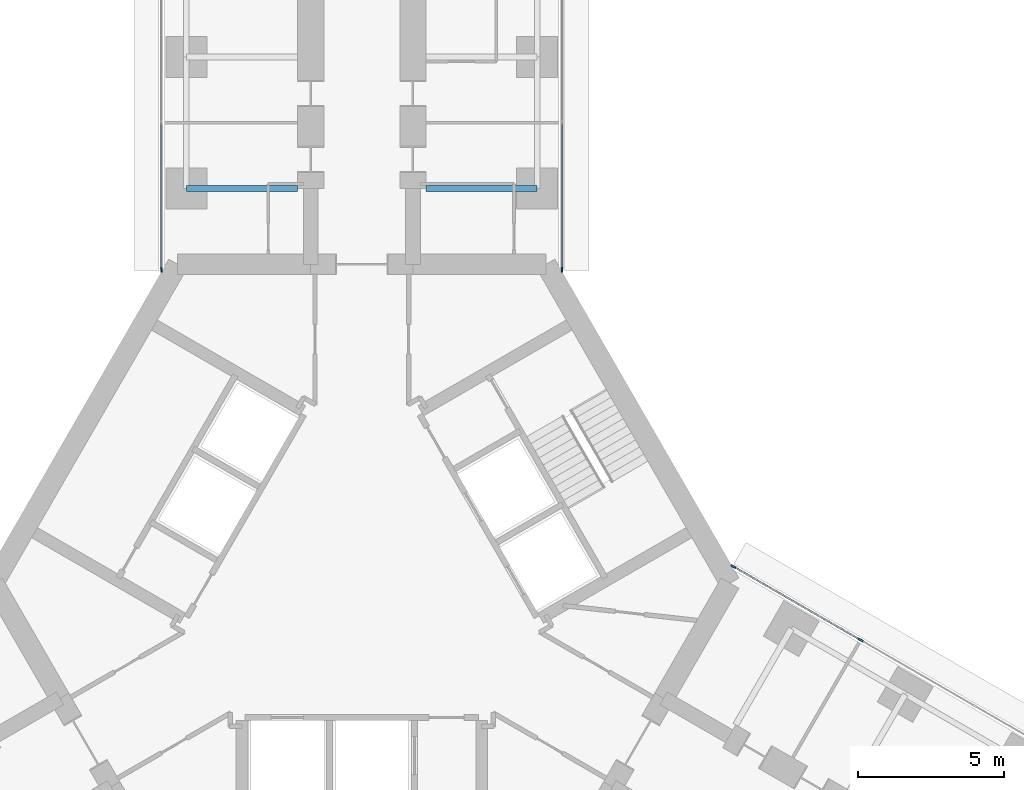
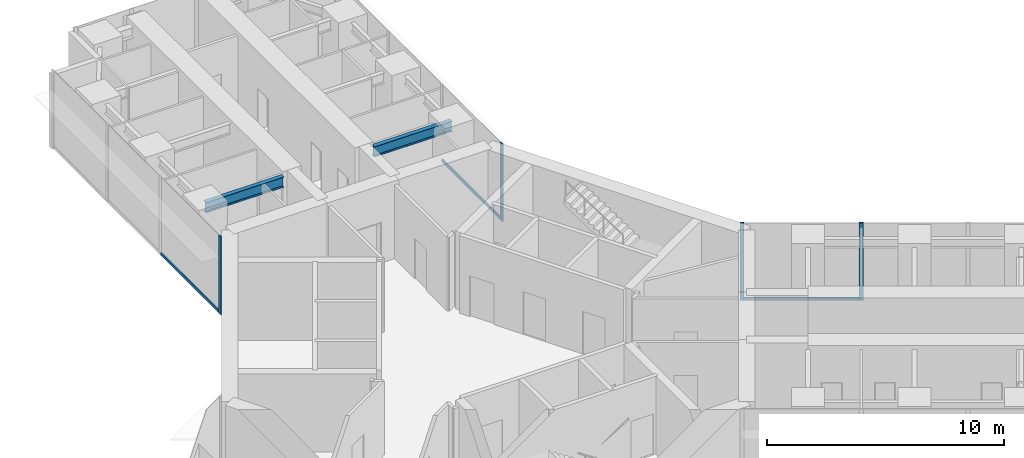
# One storey, part 11 of 25: 7 members, 2 beams, 3 elements without a shape of their own.
"""IFC4 building model written with IfcOpenShell, lengths in metres."""

from ifc_helpers import new_model, si_unit, direction, frame, origin, origin_2d, place, context, subcontext, project, spatial, rectangle, i_section, extrude, material, material_profile, profile_set, type_object, element, aggregate, save


model = new_model("IFC4")

# Units and contexts
model_context = context("Model", 3, precision=1e-05, world=origin(), true_north=direction((0.0, 1.0)))
body_context = subcontext(model_context, "Body", "Model", "MODEL_VIEW")
ifc_project = project(units=[si_unit("LENGTHUNIT", "METRE"), si_unit("AREAUNIT", "SQUARE_METRE"), si_unit("VOLUMEUNIT", "CUBIC_METRE"), si_unit("PLANEANGLEUNIT", "RADIAN"), si_unit("MASSUNIT", "GRAM", prefix="KILO")], contexts=[model_context])

# Site, building, storey
site_placement = place(None, origin())
site = spatial("IfcSite", under=ifc_project, at=site_placement, CompositionType="ELEMENT")
building_placement = place(site_placement, origin())
building = spatial("IfcBuilding", under=site, at=building_placement, Name="Upepo Twin Towers", CompositionType="ELEMENT")
storey_placement = place(building_placement, frame((0.0, 0.0, 76.5)))
storey = spatial("IfcBuildingStorey", under=building, at=storey_placement, Name="L18", CompositionType="ELEMENT", Elevation=76.5)

# Beams
ifc_material_1 = material(Name="Steel S355", Category="steel")
ifc_material_profile_1 = material_profile(ifc_material_1, i_section(OverallWidth=0.209228515625, OverallDepth=0.533203125, WebThickness=0.010009765625, FlangeThickness=0.015625, FilletRadius=0.0126953125, at=origin_2d()), Name="UB 533x210x92")
ifc_profile_set_1 = profile_set([ifc_material_profile_1], Name="Steel S355")
beam_type = type_object("IfcBeamType", Name="Beam UB 533x210x92", PredefinedType="BEAM", material=ifc_profile_set_1)
for number, where, z_axis, x_axis, name in (
    (1, (52.5, -4.5, 3.533447265625), (1.0, 0.0, 0.0), (0.0, 1.0, 0.0), "T2 girder AL at 13.5"),
    (2, (64.5, -4.5, 3.533447265625), (-1.0, 0.0, 0.0), (0.0, -1.0, 0.0), "T2 girder AR at 13.5"),
):
    element("IfcBeam", number, at=place(storey_placement, frame(where, z_axis=z_axis, x_axis=x_axis)), inside=storey, type_object=beam_type, Name=name, PredefinedType="BEAM", context=body_context, shape_type="SweptSolid", body=[
        extrude(i_section(OverallWidth=0.209228515625, OverallDepth=0.533203125, WebThickness=0.010009765625, FlangeThickness=0.015625, FilletRadius=0.0126953125, at=origin_2d()), origin(), (0.0, 0.0, 1.0), 3.800048828125),
    ])

# Curtain wall, member
ifc_material_2 = material(Name="Aluminium and fritted glass", Category="aluminium")
curtain_wall_type = type_object("IfcCurtainWallType", Name="Tower curtain wall TW1, fritted glass", PredefinedType="NOTDEFINED", material=ifc_material_2)
curtain_wall_1_placement = place(storey_placement, origin())
curtain_wall_1 = element("IfcCurtainWall", 3, at=curtain_wall_1_placement, inside=storey, type_object=curtain_wall_type, Name="T2 L18 wing A flank L curtain wall", PredefinedType="NOTDEFINED")
ifc_material_3 = material(Name="Aluminium mullion", Category="aluminium")
ifc_material_profile_2 = material_profile(ifc_material_3, rectangle(XDim=0.06494140625, YDim=0.179931640625, at=origin_2d()), Name="MULLION 65x180")
ifc_profile_set_2 = profile_set([ifc_material_profile_2], Name="Aluminium mullion")
member_type_1 = type_object("IfcMemberType", Name="Mullion 65x180 TW1", PredefinedType="MULLION", material=ifc_profile_set_2)
member_1_placement = place(storey_placement, frame((51.64990234375, -7.2802734375, 0.0), z_axis=(0.0, 0.0, 1.0), x_axis=(-1.0, 0.0, 0.0)))
member_1 = element("IfcMember", 4, at=member_1_placement, type_object=member_type_1, Name="T2 L18 wing A flank L curtain wall mullion 1", PredefinedType="MULLION", context=body_context, shape_type="SweptSolid", body=[
    extrude(rectangle(XDim=0.06494140625, YDim=0.179931640625, at=origin_2d()), origin(), (0.0, 0.0, 1.0), 4.0),
])

curtain_wall_2_placement = place(storey_placement, origin())
curtain_wall_2 = element("IfcCurtainWall", 5, at=curtain_wall_2_placement, inside=storey, type_object=curtain_wall_type, Name="T2 L18 wing A flank R curtain wall", PredefinedType="NOTDEFINED")
member_2_placement = place(storey_placement, frame((65.35009765625, -7.2802734375, 0.0), z_axis=(0.0, 0.0, 1.0), x_axis=(1.0, 0.0, 0.0)))
member_2 = element("IfcMember", 6, at=member_2_placement, type_object=member_type_1, Name="T2 L18 wing A flank R curtain wall mullion 4", PredefinedType="MULLION", context=body_context, shape_type="SweptSolid", body=[
    extrude(rectangle(XDim=0.06494140625, YDim=0.179931640625, at=origin_2d()), origin(), (0.0, 0.0, 1.0), 4.0),
])

# Curtain wall, members
curtain_wall_3_placement = place(storey_placement, origin())
curtain_wall_3 = element("IfcCurtainWall", 7, at=curtain_wall_3_placement, inside=storey, type_object=curtain_wall_type, Name="T2 L18 wing C flank L curtain wall", PredefinedType="NOTDEFINED")
member_3_placement = place(storey_placement, frame((71.20849609375, -17.427490234375, 0.0), z_axis=(0.0, 0.0, 1.0), x_axis=(0.500000024426, 0.866025389682, 0.0)))
member_3 = element("IfcMember", 8, at=member_3_placement, type_object=member_type_1, Name="T2 L18 wing C flank L curtain wall mullion 1", PredefinedType="MULLION", context=body_context, shape_type="SweptSolid", body=[
    extrude(rectangle(XDim=0.06494140625, YDim=0.179931640625, at=origin_2d()), origin(), (0.0, 0.0, 1.0), 4.0),
])
member_4_placement = place(storey_placement, frame((75.56494140625, -19.942626953125, 0.0), z_axis=(0.0, 0.0, 1.0), x_axis=(0.500000024426, 0.866025389682, 0.0)))
member_4 = element("IfcMember", 9, at=member_4_placement, type_object=member_type_1, Name="T2 L18 wing C flank L curtain wall mullion 2", PredefinedType="MULLION", context=body_context, shape_type="SweptSolid", body=[
    extrude(rectangle(XDim=0.06494140625, YDim=0.179931640625, at=origin_2d()), origin(), (0.0, 0.0, 1.0), 4.0),
])

# Member
ifc_material_4 = material(Name="Aluminium transom", Category="aluminium")
ifc_material_profile_3 = material_profile(ifc_material_4, rectangle(XDim=0.06494140625, YDim=0.14990234375, at=origin_2d()), Name="TRANSOM 65x150")
ifc_profile_set_3 = profile_set([ifc_material_profile_3], Name="Aluminium transom")
member_type_2 = type_object("IfcMemberType", Name="Transom 65x150 TW1", PredefinedType="USERDEFINED", material=ifc_profile_set_3)
member_5_placement = place(storey_placement, frame((51.64990234375, -7.247802734375, 0.074951171875), z_axis=(0.0, 1.0, 0.0), x_axis=(-1.0, 0.0, 0.0)))
member_5 = element("IfcMember", 10, at=member_5_placement, type_object=member_type_2, Name="T2 L18 wing A flank L curtain wall transom 1", ObjectType="TRANSOM", PredefinedType="USERDEFINED", context=body_context, shape_type="SweptSolid", body=[
    extrude(rectangle(XDim=0.06494140625, YDim=0.14990234375, at=origin_2d()), origin(), (0.0, 0.0, 1.0), 4.96533203125),
])

aggregate(curtain_wall_1, [member_1, member_5])

member_6_placement = place(storey_placement, frame((65.35009765625, -2.282470703125, 0.074951171875), z_axis=(0.0, -1.0, 0.0), x_axis=(1.0, 0.0, 0.0)))
member_6 = element("IfcMember", 11, at=member_6_placement, type_object=member_type_2, Name="T2 L18 wing A flank R curtain wall transom 3", ObjectType="TRANSOM", PredefinedType="USERDEFINED", context=body_context, shape_type="SweptSolid", body=[
    extrude(rectangle(XDim=0.06494140625, YDim=0.14990234375, at=origin_2d()), origin(), (0.0, 0.0, 1.0), 4.96533203125),
])

aggregate(curtain_wall_2, [member_2, member_6])

member_7_placement = place(storey_placement, frame((71.236572265625, -17.44384765625, 0.074951171875), z_axis=(0.866034933967, -0.499983492876, 0.0), x_axis=(0.499983492876, 0.866034933967, 0.0)))
member_7 = element("IfcMember", 12, at=member_7_placement, type_object=member_type_2, Name="T2 L18 wing C flank L curtain wall transom 1", ObjectType="TRANSOM", PredefinedType="USERDEFINED", context=body_context, shape_type="SweptSolid", body=[
    extrude(rectangle(XDim=0.06494140625, YDim=0.14990234375, at=origin_2d()), origin(), (0.0, 0.0, 1.0), 4.965576171875),
])

aggregate(curtain_wall_3, [member_3, member_4, member_7])

save(model, "model.ifc")
